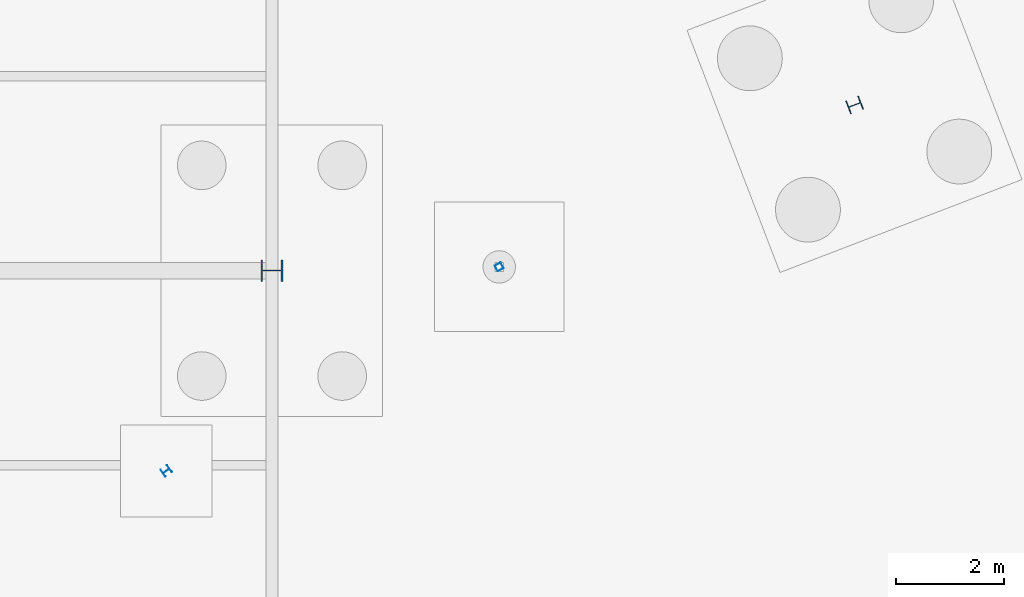
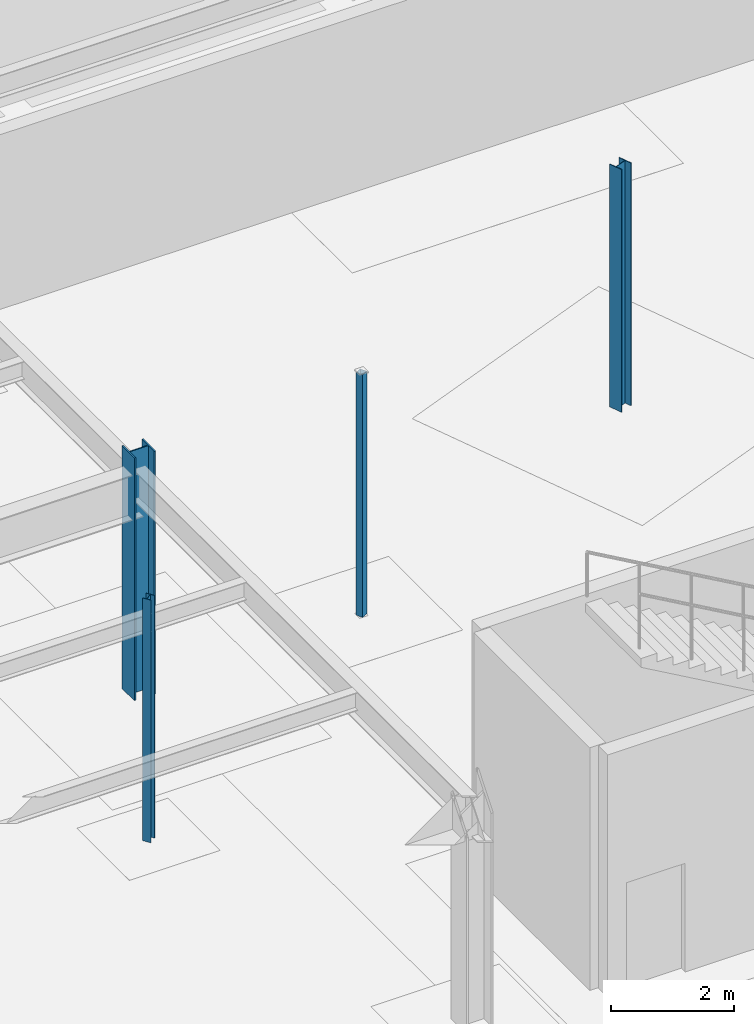
# One storey, part 37 of 136: 4 columns.
"""IFC4 building model written with IfcOpenShell, lengths in metres."""

from ifc_helpers import new_model, si_unit, direction, frame, origin, origin_2d, place, context, subcontext, project, spatial, hollow_rectangle, i_section, extrude, material, material_profile, profile_set, type_object, element, save


model = new_model("IFC4")

# Units and contexts
model_context = context("Model", 3, precision=1e-05, world=origin(), true_north=direction((0.0, 1.0)))
body_context = subcontext(model_context, "Body", "Model", "MODEL_VIEW")
ifc_project = project(units=[si_unit("LENGTHUNIT", "METRE"), si_unit("AREAUNIT", "SQUARE_METRE"), si_unit("VOLUMEUNIT", "CUBIC_METRE"), si_unit("PLANEANGLEUNIT", "RADIAN"), si_unit("MASSUNIT", "GRAM", prefix="KILO")], contexts=[model_context])

# Site, building, storey
site_placement = place(None, origin())
site = spatial("IfcSite", under=ifc_project, at=site_placement, CompositionType="ELEMENT")
building_placement = place(site_placement, origin())
building = spatial("IfcBuilding", under=site, at=building_placement, Name="Tarnwether General Hospital", CompositionType="ELEMENT")
storey_placement = place(building_placement, frame((0.0, 0.0, -4.800048828125)))
storey = spatial("IfcBuildingStorey", under=building, at=storey_placement, Name="LG", CompositionType="ELEMENT", Elevation=-4.800048828125)

# Columns
ifc_material_1 = material(Name="Steel Grade 350 (350 MPa)", Category="steel")
ifc_material_profile_1 = material_profile(ifc_material_1, i_section(OverallWidth=0.39990234375, OverallDepth=0.39990234375, WebThickness=0.02001953125, FlangeThickness=0.028076171875, at=origin_2d()), Name="400WC270")
ifc_profile_set_1 = profile_set([ifc_material_profile_1], Name="Steel Grade 350 (350 MPa)")
column_type_1 = type_object("IfcColumnType", Name="COL-02", PredefinedType="COLUMN", material=ifc_profile_set_1)
column_1_placement = place(storey_placement, frame((60.0, 115.199951171875, 0.0), z_axis=(0.0, 0.0, 1.0), x_axis=(0.0, 1.0, 0.0)))
element("IfcColumn", 1, at=column_1_placement, inside=storey, type_object=column_type_1, Name="Column COLG-LG-6000_11520", PredefinedType="COLUMN", context=body_context, shape_type="SweptSolid", body=[
    extrude(i_section(OverallWidth=0.39990234375, OverallDepth=0.39990234375, WebThickness=0.02001953125, FlangeThickness=0.028076171875, at=origin_2d()), origin(), (0.0, 0.0, 1.0), 4.800048828125),
])
ifc_material_2 = material(Name="Steel Grade 350 (350 MPa)", Category="steel")
ifc_material_profile_2 = material_profile(ifc_material_2, i_section(OverallWidth=0.25390625, OverallDepth=0.25390625, WebThickness=0.008544921875, FlangeThickness=0.01416015625, at=origin_2d()), Name="250UC72.9")
ifc_profile_set_2 = profile_set([ifc_material_profile_2], Name="Steel Grade 350 (350 MPa)")
column_type_2 = type_object("IfcColumnType", Name="COL-24", PredefinedType="COLUMN", material=ifc_profile_set_2)
column_2_placement = place(storey_placement, frame((70.784912109375, 118.26806640625, 0.0), z_axis=(0.0, 0.0, 1.0), x_axis=(-0.358367949545, 0.933580426497, 0.0)))
element("IfcColumn", 2, at=column_2_placement, inside=storey, type_object=column_type_2, Name="Column COLG-LG-7078_11827", PredefinedType="COLUMN", context=body_context, shape_type="SweptSolid", body=[
    extrude(i_section(OverallWidth=0.25390625, OverallDepth=0.25390625, WebThickness=0.008544921875, FlangeThickness=0.01416015625, at=origin_2d()), origin(), (0.0, 0.0, 1.0), 4.800048828125),
])
ifc_material_3 = material(Name="Steel Grade 350 (350 MPa)", Category="steel")
ifc_material_profile_3 = material_profile(ifc_material_3, i_section(OverallWidth=0.152099609375, OverallDepth=0.152099609375, WebThickness=0.006103515625, FlangeThickness=0.0068359375, at=origin_2d()), Name="150UC23.4")
ifc_profile_set_3 = profile_set([ifc_material_profile_3], Name="Steel Grade 350 (350 MPa)")
column_type_3 = type_object("IfcColumnType", Name="COL-32", PredefinedType="COLUMN", material=ifc_profile_set_3)
column_3_placement = place(storey_placement, frame((58.0439453125, 111.493896484375, 0.0), z_axis=(0.0, 0.0, 1.0), x_axis=(-0.573576436351, 0.819152044289, 0.0)))
element("IfcColumn", 3, at=column_3_placement, inside=storey, type_object=column_type_3, Name="Column COLG-LG-5804_11149", PredefinedType="COLUMN", context=body_context, shape_type="SweptSolid", body=[
    extrude(i_section(OverallWidth=0.152099609375, OverallDepth=0.152099609375, WebThickness=0.006103515625, FlangeThickness=0.0068359375, at=origin_2d()), origin(), (0.0, 0.0, 1.0), 4.800048828125),
])
ifc_material_4 = material(Name="Steel Grade C350L0 (350 MPa)", Category="steel")
ifc_material_profile_4 = material_profile(ifc_material_4, hollow_rectangle(XDim=0.125, YDim=0.125, WallThickness=0.006103515625, at=origin_2d()), Name="SHS125x125x6")
ifc_profile_set_4 = profile_set([ifc_material_profile_4], Name="Steel Grade C350L0 (350 MPa)")
column_type_4 = type_object("IfcColumnType", Name="COL-34", PredefinedType="COLUMN", material=ifc_profile_set_4)
column_4_placement = place(storey_placement, frame((64.20703125, 115.27001953125, 0.0), z_axis=(0.0, 0.0, 1.0), x_axis=(-0.469471562786, 0.882947592859, 0.0)))
element("IfcColumn", 4, at=column_4_placement, inside=storey, type_object=column_type_4, Name="Column COLG-LG-6421_11527", PredefinedType="COLUMN", context=body_context, shape_type="SweptSolid", body=[
    extrude(hollow_rectangle(XDim=0.125, YDim=0.125, WallThickness=0.006103515625, at=origin_2d()), origin(), (0.0, 0.0, 1.0), 4.800048828125),
])

save(model, "model.ifc")
